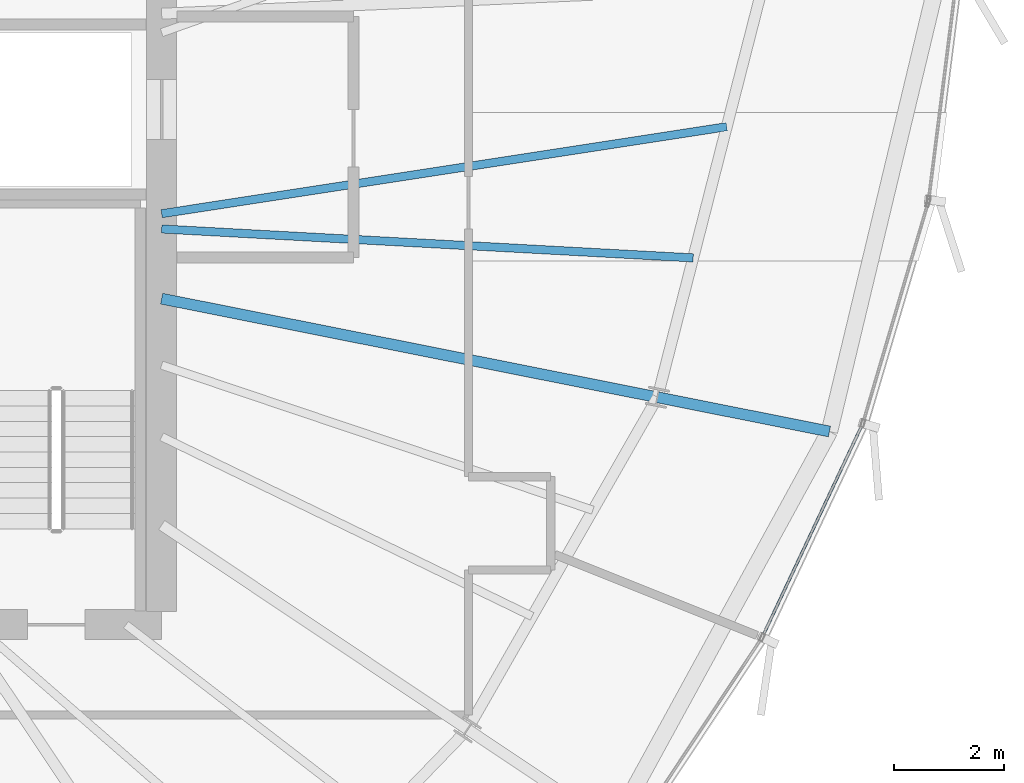
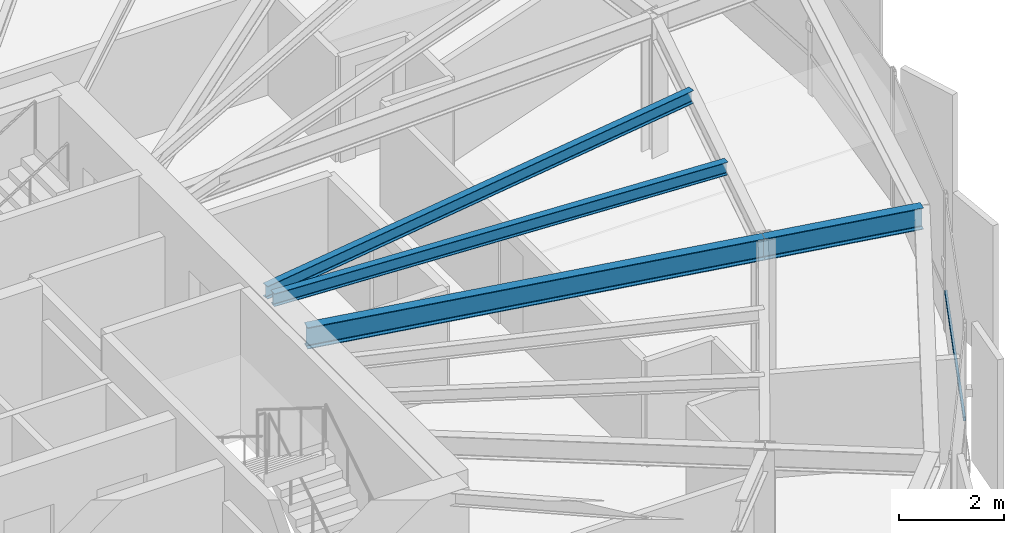
# One storey, part 14 of 33: 4 beams, 1 member, 1 element without a shape of its own.
"""IFC4 building model written with IfcOpenShell, lengths in metres."""

from ifc_helpers import new_model, si_unit, direction, frame, origin, origin_2d, place, context, subcontext, project, spatial, hollow_rectangle, i_section, extrude, source, transform, mapped, material, layer, layer_set, material_profile, profile_set, type_object, element, aggregate, save


model = new_model("IFC4")

# Units and contexts
model_context = context("Model", 3, precision=1e-05, world=origin(), true_north=direction((0.0, 1.0)))
body_context = subcontext(model_context, "Body", "Model", "MODEL_VIEW")
ifc_project = project(units=[si_unit("LENGTHUNIT", "METRE"), si_unit("AREAUNIT", "SQUARE_METRE"), si_unit("VOLUMEUNIT", "CUBIC_METRE"), si_unit("PLANEANGLEUNIT", "RADIAN"), si_unit("MASSUNIT", "GRAM", prefix="KILO"), si_unit("THERMODYNAMICTEMPERATUREUNIT", "KELVIN")], contexts=[model_context])

# Site, building, storey
site_placement = place(None, origin())
site = spatial("IfcSite", under=ifc_project, at=site_placement, CompositionType="ELEMENT")
building_placement = place(site_placement, origin())
building = spatial("IfcBuilding", under=site, at=building_placement, Name="Kethvar Cultural Tower", CompositionType="ELEMENT")
storey_placement = place(building_placement, frame((0.0, 0.0, 211.39990234375)))
storey = spatial("IfcBuildingStorey", under=building, at=storey_placement, Name="L55", CompositionType="ELEMENT", Elevation=211.39990234375)

# Beams
ifc_material_1 = material(Name="Steel S355J2", Category="steel")
ifc_material_profile_1 = material_profile(ifc_material_1, i_section(OverallWidth=0.199951171875, OverallDepth=0.5, WebThickness=0.01025390625, FlangeThickness=0.01611328125, FilletRadius=0.02099609375, at=origin_2d()), Name="Steel S355J2 — IPE500")
ifc_profile_set_1 = profile_set([ifc_material_profile_1], Name="Steel S355J2 — IPE500")
beam_type_1 = type_object("IfcBeamType", Name="BM-IPE500", PredefinedType="BEAM", material=ifc_profile_set_1)
shared_shape_1 = source(origin(), body_context, "Body", "SweptSolid", [
    extrude(i_section(OverallWidth=0.199951171875, OverallDepth=0.5, WebThickness=0.01025390625, FlangeThickness=0.01611328125, FilletRadius=0.02099609375, at=origin_2d()), origin(), (0.0, 0.0, 1.0), 3.199951171875),
])
beam_1_placement = place(storey_placement, frame((64.648681640625, 24.249755859375, 3.008056640625), z_axis=(0.980785550224, -0.195088965533, 0.0), x_axis=(0.195088965533, 0.980785550224, 0.0)))
element("IfcBeam", 1, at=beam_1_placement, inside=storey, type_object=beam_type_1, Name="L55 Perimeter Cantilever Beam RC-16", PredefinedType="BEAM", context=body_context, shape_type="MappedRepresentation", body=[
    mapped(shared_shape_1, transform((0.0, 0.0, 0.0), scale=1.0)),
])
shared_shape_2 = source(origin(), body_context, "Body", "SweptSolid", [
    extrude(i_section(OverallWidth=0.199951171875, OverallDepth=0.5, WebThickness=0.01025390625, FlangeThickness=0.01611328125, FilletRadius=0.02099609375, at=origin_2d()), origin(), (0.0, 0.0, 1.0), 9.225830078125),
])
beam_2_placement = place(storey_placement, frame((55.60009765625, 26.049560546875, 3.008056640625), z_axis=(0.980786744069, -0.195082963529, 0.0), x_axis=(0.195082963529, 0.980786744069, 0.0)))
element("IfcBeam", 2, at=beam_2_placement, inside=storey, type_object=beam_type_1, Name="L55 Primary Radial Beam RB-16", PredefinedType="BEAM", context=body_context, shape_type="MappedRepresentation", body=[
    mapped(shared_shape_2, transform((0.0, 0.0, 0.0), scale=1.0)),
])
ifc_material_profile_2 = material_profile(ifc_material_1, i_section(OverallWidth=0.14990234375, OverallDepth=0.300048828125, WebThickness=0.007080078125, FlangeThickness=0.0107421875, FilletRadius=0.014892578125, at=origin_2d()), Name="Steel S355J2 — IPE300")
ifc_profile_set_2 = profile_set([ifc_material_profile_2], Name="Steel S355J2 — IPE300")
beam_type_2 = type_object("IfcBeamType", Name="BM-J300", PredefinedType="JOIST", material=ifc_profile_set_2)
shared_shape_3 = source(origin(), body_context, "Body", "SweptSolid", [
    extrude(i_section(OverallWidth=0.14990234375, OverallDepth=0.300048828125, WebThickness=0.007080078125, FlangeThickness=0.0107421875, FilletRadius=0.014892578125, at=origin_2d()), origin(), (0.0, 0.0, 1.0), 9.714111328125),
])
beam_3_placement = place(storey_placement, frame((55.60009765625, 27.3212890625, 3.108154296875), z_axis=(0.998522658081, -0.054336923906, 0.0), x_axis=(0.054336923906, 0.998522658081, 0.0)))
element("IfcBeam", 3, at=beam_3_placement, inside=storey, type_object=beam_type_2, Name="L55 Composite Floor Joist J-16A", PredefinedType="JOIST", context=body_context, shape_type="MappedRepresentation", body=[
    mapped(shared_shape_3, transform((0.0, 0.0, 0.0), scale=1.0)),
])
shared_shape_4 = source(origin(), body_context, "Body", "SweptSolid", [
    extrude(i_section(OverallWidth=0.14990234375, OverallDepth=0.300048828125, WebThickness=0.007080078125, FlangeThickness=0.0107421875, FilletRadius=0.014892578125, at=origin_2d()), origin(), (0.0, 0.0, 1.0), 10.43408203125),
])
beam_4_placement = place(storey_placement, frame((55.60009765625, 27.60009765625, 3.108154296875), z_axis=(0.988359792691, 0.152134546343, 0.0), x_axis=(-0.152134546343, 0.988359792691, 0.0)))
element("IfcBeam", 4, at=beam_4_placement, inside=storey, type_object=beam_type_2, Name="L55 Composite Floor Joist J-16B", PredefinedType="JOIST", context=body_context, shape_type="MappedRepresentation", body=[
    mapped(shared_shape_4, transform((0.0, 0.0, 0.0), scale=1.0)),
])

# Curtain wall, member
ifc_material_2 = material(Name="Aluminium 6063-T6", Category="aluminium")
ifc_layer = layer(ifc_material_2, 0.179931640625, Name="Aluminium 6063-T6", Category="aluminium")
ifc_layer_set = layer_set([ifc_layer], Name="Aluminium 6063-T6 (180 mm)")
curtain_wall_type = type_object("IfcCurtainWallType", Name="CW-SYS-04-Z34", PredefinedType="NOTDEFINED", material=ifc_layer_set)
curtain_wall_placement = place(storey_placement, origin())
curtain_wall = element("IfcCurtainWall", 5, at=curtain_wall_placement, inside=storey, type_object=curtain_wall_type, Name="L55 Curtain Wall Run 05", PredefinedType="NOTDEFINED")
ifc_material_profile_3 = material_profile(ifc_material_2, hollow_rectangle(XDim=0.050048828125, YDim=0.10009765625, WallThickness=0.00390625, at=origin_2d()), Name="Aluminium 6063-T6 — RHS100x50x4")
ifc_profile_set_3 = profile_set([ifc_material_profile_3], Name="Aluminium 6063-T6 — RHS100x50x4")
member_type = type_object("IfcMemberType", Name="CW-SYS-04-Z34-TRN", PredefinedType="USERDEFINED", material=ifc_profile_set_3)
shared_shape_5 = source(origin(), body_context, "Body", "SweptSolid", [
    extrude(hollow_rectangle(XDim=0.050048828125, YDim=0.10009765625, WallThickness=0.00390625, at=origin_2d()), origin(), (0.0, 0.0, 1.0), 4.24658203125),
])
member_placement = place(storey_placement, frame((66.5771484375, 19.906005859375, 0.9501953125), z_axis=(0.425558908495, 0.904930724089, 0.0), x_axis=(-0.904930724089, 0.425558908495, 0.0)))
member = element("IfcMember", 6, at=member_placement, type_object=member_type, Name="CW-L55-R05 Transom 5", ObjectType="TRANSOM", PredefinedType="USERDEFINED", context=body_context, shape_type="MappedRepresentation", body=[
    mapped(shared_shape_5, transform((0.0, 0.0, 0.0), scale=1.0)),
])
aggregate(curtain_wall, [member])

save(model, "model.ifc")
